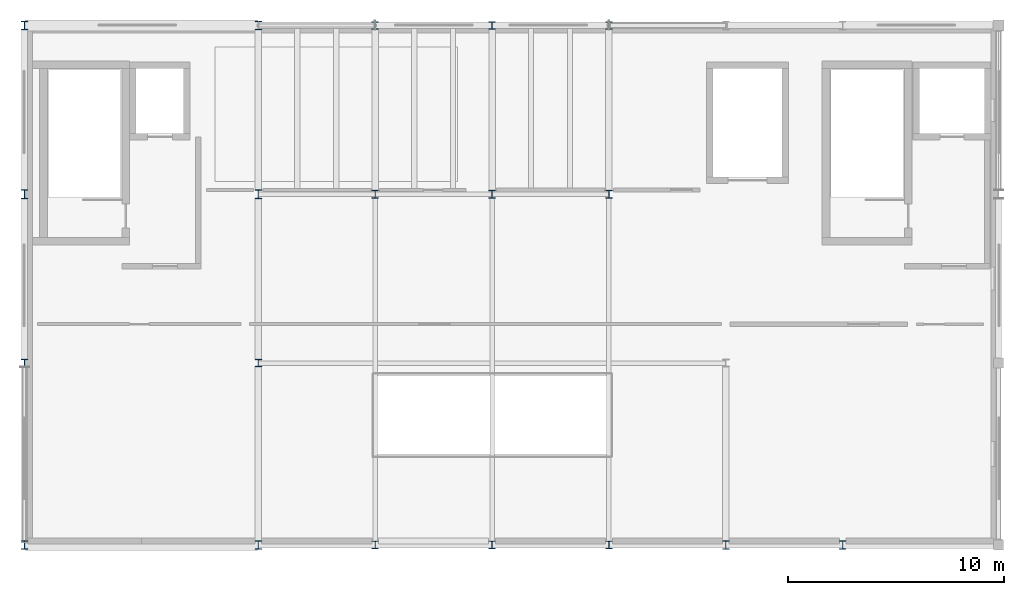
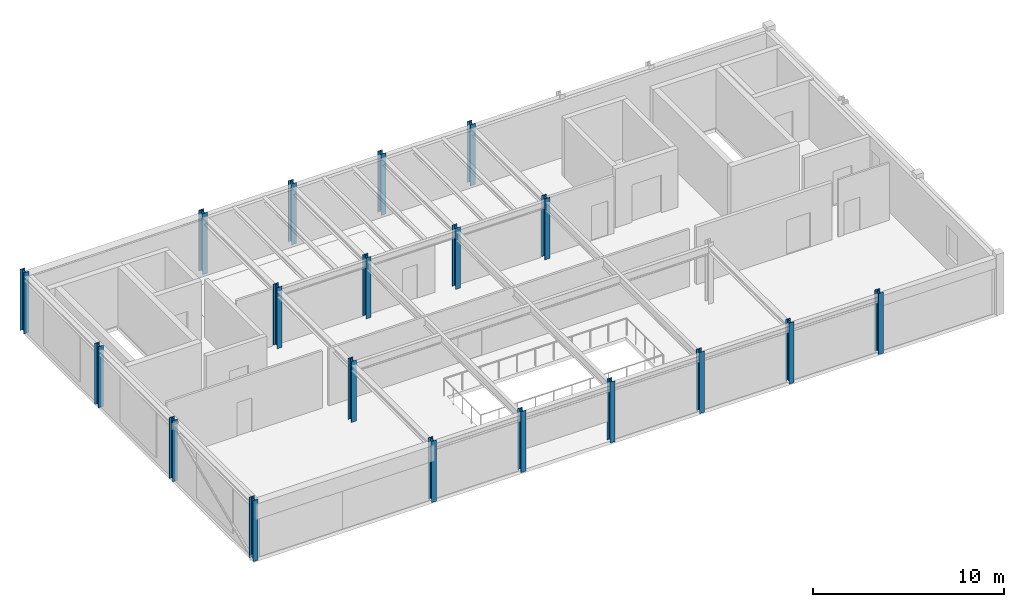
# One storey, part 1 of 8: 19 columns.
"""IFC4 building model written with IfcOpenShell, lengths in metres."""

from ifc_helpers import new_model, si_unit, direction, frame, origin, origin_2d, place, context, subcontext, project, spatial, i_section, extrude, material, material_profile, profile_set, type_object, element, save


model = new_model("IFC4")

# Units and contexts
model_context = context("Model", 3, precision=1e-05, world=origin(), true_north=direction((0.0, 1.0)))
body_context = subcontext(model_context, "Body", "Model", "MODEL_VIEW")
ifc_project = project(units=[si_unit("LENGTHUNIT", "METRE"), si_unit("AREAUNIT", "SQUARE_METRE"), si_unit("VOLUMEUNIT", "CUBIC_METRE"), si_unit("PLANEANGLEUNIT", "RADIAN"), si_unit("MASSUNIT", "GRAM", prefix="KILO")], contexts=[model_context])

# Site, building, storey
site_placement = place(None, origin())
site = spatial("IfcSite", under=ifc_project, at=site_placement, CompositionType="ELEMENT")
building_placement = place(site_placement, origin())
building = spatial("IfcBuilding", under=site, at=building_placement, Name="Tazoul Stagehouse", CompositionType="ELEMENT")
storey_placement = place(building_placement, frame((0.0, 0.0, 21.0)))
storey = spatial("IfcBuildingStorey", under=building, at=storey_placement, Name="L05", CompositionType="ELEMENT", Elevation=21.0)

# Columns
ifc_material = material(Name="Steel S355", Category="steel")
ifc_material_profile_1 = material_profile(ifc_material, i_section(OverallWidth=0.300048828125, OverallDepth=0.360107421875, WebThickness=0.012451171875, FlangeThickness=0.0224609375, FilletRadius=0.027099609375, at=origin_2d()), Name="HEB 360")
ifc_profile_set_1 = profile_set([ifc_material_profile_1], Name="Steel S355")
column_type_1 = type_object("IfcColumnType", Name="Steel Column HEB 360", PredefinedType="COLUMN", material=ifc_profile_set_1)
for number, where, z_axis, x_axis, name in (
    (1, (68.39990234375, 96.199951171875, 0.0), (0.0, 0.0, 1.0), (1.0, 0.0, 0.0), "L05 Column SC-03 at 10/P"),
    (2, (73.800048828125, 104.0, 0.0), (0.0, 0.0, 1.0), (1.0, 0.0, 0.0), "L05 Column SC-03 at 11/Q"),
    (3, (79.199951171875, 104.0, 0.0), (0.0, 0.0, 1.0), (1.0, 0.0, 0.0), "L05 Column SC-03 at 12/Q"),
    (4, (84.60009765625, 104.0, 0.0), (0.0, 0.0, 1.0), (1.0, 0.0, 0.0), "L05 Column SC-03 at 13/Q"),
):
    element("IfcColumn", number, at=place(storey_placement, frame(where, z_axis=z_axis, x_axis=x_axis)), inside=storey, type_object=column_type_1, Name=name, PredefinedType="COLUMN", context=body_context, shape_type="SweptSolid", body=[
        extrude(i_section(OverallWidth=0.300048828125, OverallDepth=0.360107421875, WebThickness=0.012451171875, FlangeThickness=0.0224609375, FilletRadius=0.027099609375, at=origin_2d()), origin(), (0.0, 0.0, 1.0), 3.89990234375),
    ])
ifc_material_profile_2 = material_profile(ifc_material, i_section(OverallWidth=0.300048828125, OverallDepth=0.360107421875, WebThickness=0.012451171875, FlangeThickness=0.0224609375, FilletRadius=0.027099609375, at=origin_2d()), Name="HEB 360")
ifc_profile_set_2 = profile_set([ifc_material_profile_2], Name="Steel S355")
column_type_2 = type_object("IfcColumnType", Name="Steel Column HEB 360 (Exterior)", PredefinedType="COLUMN", material=ifc_profile_set_2)
for number, where, z_axis, x_axis, name in (
    (5, (73.800048828125, 87.800048828125, 0.0), (0.0, 0.0, 1.0), (1.0, 0.0, 0.0), "L05 Column SC-03E at 11/N"),
    (6, (73.800048828125, 111.800048828125, 0.0), (0.0, 0.0, 1.0), (1.0, 0.0, 0.0), "L05 Column SC-03E at 11/R"),
    (7, (79.199951171875, 87.800048828125, 0.0), (0.0, 0.0, 1.0), (1.0, 0.0, 0.0), "L05 Column SC-03E at 12/N"),
    (8, (79.199951171875, 111.800048828125, 0.0), (0.0, 0.0, 1.0), (1.0, 0.0, 0.0), "L05 Column SC-03E at 12/R"),
    (9, (84.60009765625, 87.800048828125, 0.0), (0.0, 0.0, 1.0), (1.0, 0.0, 0.0), "L05 Column SC-03E at 13/N"),
    (10, (84.60009765625, 111.800048828125, 0.0), (0.0, 0.0, 1.0), (1.0, 0.0, 0.0), "L05 Column SC-03E at 13/R"),
    (11, (57.60009765625, 96.199951171875, 0.0), (0.0, 0.0, 1.0), (1.0, 0.0, 0.0), "L05 Column SC-03E at 8/P"),
):
    element("IfcColumn", number, at=place(storey_placement, frame(where, z_axis=z_axis, x_axis=x_axis)), inside=storey, type_object=column_type_2, Name=name, PredefinedType="COLUMN", context=body_context, shape_type="SweptSolid", body=[
        extrude(i_section(OverallWidth=0.300048828125, OverallDepth=0.360107421875, WebThickness=0.012451171875, FlangeThickness=0.0224609375, FilletRadius=0.027099609375, at=origin_2d()), origin(), (0.0, 0.0, 1.0), 3.89990234375),
    ])
ifc_material_profile_3 = material_profile(ifc_material, i_section(OverallWidth=0.300048828125, OverallDepth=0.39990234375, WebThickness=0.013427734375, FlangeThickness=0.02392578125, FilletRadius=0.027099609375, at=origin_2d()), Name="HEB 400")
ifc_profile_set_3 = profile_set([ifc_material_profile_3], Name="Steel S355")
column_type_3 = type_object("IfcColumnType", Name="Steel Column HEB 400", PredefinedType="COLUMN", material=ifc_profile_set_3)
column_placement = place(storey_placement, frame((68.39990234375, 104.0, 0.0), z_axis=(0.0, 0.0, 1.0), x_axis=(1.0, 0.0, 0.0)))
element("IfcColumn", 12, at=column_placement, inside=storey, type_object=column_type_3, Name="L05 Column SC-04 at 10/Q", PredefinedType="COLUMN", context=body_context, shape_type="SweptSolid", body=[
    extrude(i_section(OverallWidth=0.300048828125, OverallDepth=0.39990234375, WebThickness=0.013427734375, FlangeThickness=0.02392578125, FilletRadius=0.027099609375, at=origin_2d()), origin(), (0.0, 0.0, 1.0), 3.89990234375),
])
ifc_material_profile_4 = material_profile(ifc_material, i_section(OverallWidth=0.300048828125, OverallDepth=0.39990234375, WebThickness=0.013427734375, FlangeThickness=0.02392578125, FilletRadius=0.027099609375, at=origin_2d()), Name="HEB 400")
ifc_profile_set_4 = profile_set([ifc_material_profile_4], Name="Steel S355")
column_type_4 = type_object("IfcColumnType", Name="Steel Column HEB 400 (Exterior)", PredefinedType="COLUMN", material=ifc_profile_set_4)
for number, where, z_axis, x_axis, name in (
    (13, (68.39990234375, 87.800048828125, 0.0), (0.0, 0.0, 1.0), (1.0, 0.0, 0.0), "L05 Column SC-04E at 10/N"),
    (14, (68.39990234375, 111.800048828125, 0.0), (0.0, 0.0, 1.0), (1.0, 0.0, 0.0), "L05 Column SC-04E at 10/R"),
    (15, (90.0, 87.800048828125, 0.0), (0.0, 0.0, 1.0), (1.0, 0.0, 0.0), "L05 Column SC-04E at 14/N"),
    (16, (95.39990234375, 87.800048828125, 0.0), (0.0, 0.0, 1.0), (1.0, 0.0, 0.0), "L05 Column SC-04E at 15/N"),
    (17, (57.60009765625, 87.800048828125, 0.0), (0.0, 0.0, 1.0), (1.0, 0.0, 0.0), "L05 Column SC-04E at 8/N"),
    (18, (57.60009765625, 104.0, 0.0), (0.0, 0.0, 1.0), (1.0, 0.0, 0.0), "L05 Column SC-04E at 8/Q"),
    (19, (57.60009765625, 111.800048828125, 0.0), (0.0, 0.0, 1.0), (1.0, 0.0, 0.0), "L05 Column SC-04E at 8/R"),
):
    element("IfcColumn", number, at=place(storey_placement, frame(where, z_axis=z_axis, x_axis=x_axis)), inside=storey, type_object=column_type_4, Name=name, PredefinedType="COLUMN", context=body_context, shape_type="SweptSolid", body=[
        extrude(i_section(OverallWidth=0.300048828125, OverallDepth=0.39990234375, WebThickness=0.013427734375, FlangeThickness=0.02392578125, FilletRadius=0.027099609375, at=origin_2d()), origin(), (0.0, 0.0, 1.0), 3.89990234375),
    ])

save(model, "model.ifc")
